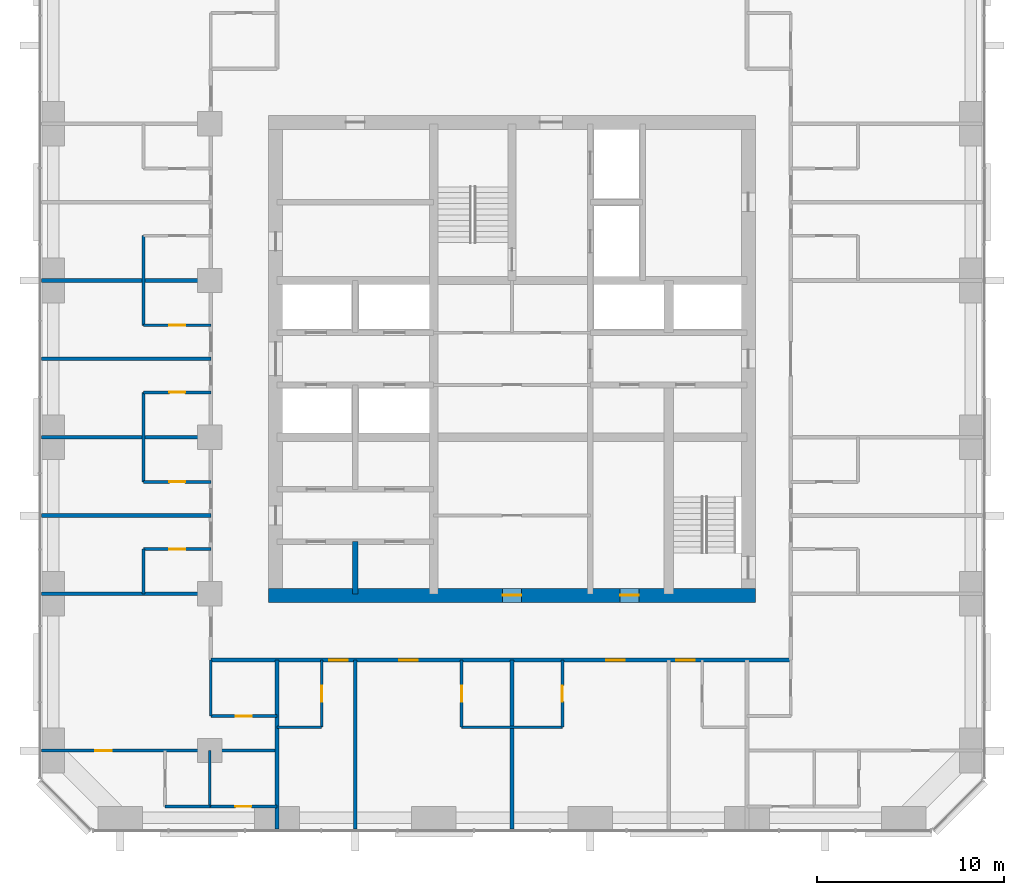
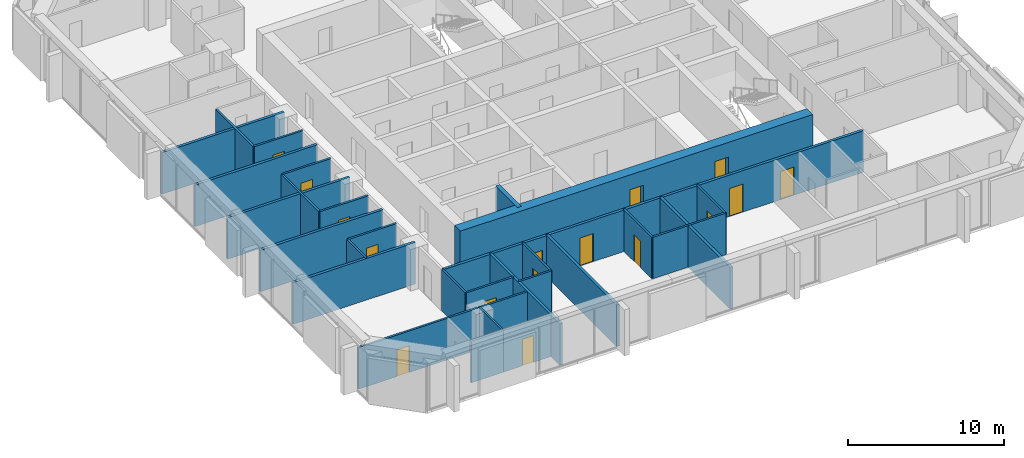
# One storey, part 8 of 13: 29 walls, 16 doors, 16 openings.
"""IFC4 building model written with IfcOpenShell, lengths in metres."""

from ifc_helpers import new_model, si_unit, direction, frame, frame_2d, origin, place, context, subcontext, project, spatial, rectangle, extrude, material, layer, layer_set, type_object, element, fill, save


model = new_model("IFC4")

# Units and contexts
model_context = context("Model", 3, precision=1e-05, world=origin(), true_north=direction((0.0, 1.0)))
body_context = subcontext(model_context, "Body", "Model", "MODEL_VIEW")
ifc_project = project(units=[si_unit("LENGTHUNIT", "METRE"), si_unit("AREAUNIT", "SQUARE_METRE"), si_unit("VOLUMEUNIT", "CUBIC_METRE"), si_unit("PLANEANGLEUNIT", "RADIAN"), si_unit("MASSUNIT", "GRAM", prefix="KILO")], contexts=[model_context])

# Site, building, storey
site_placement = place(None, origin())
site = spatial("IfcSite", under=ifc_project, at=site_placement, CompositionType="ELEMENT")
building_placement = place(site_placement, origin())
building = spatial("IfcBuilding", under=site, at=building_placement, Name="Dunama Terrace Hotel", CompositionType="ELEMENT")
storey_placement = place(building_placement, frame((0.0, 0.0, 169.800048828125)))
storey = spatial("IfcBuildingStorey", under=building, at=storey_placement, Name="L43", CompositionType="ELEMENT", Elevation=169.800048828125)

# Walls
ifc_material_1 = material(Name="Gypsum board partition", Category="masonry")
ifc_layer_1 = layer(ifc_material_1, 0.14990234375)
ifc_layer_set_1 = layer_set([ifc_layer_1], Name="Bathroom partition 150")
wall_type_1 = type_object("IfcWallType", Name="Bathroom partition 150", PredefinedType="PARTITIONING", material=ifc_layer_set_1)
wall_1_placement = place(storey_placement, frame((9.64990234375, 16.800048828125, 0.0), z_axis=(0.0, 0.0, 1.0), x_axis=(0.0, 1.0, 0.0)))
element("IfcWall", 1, at=wall_1_placement, inside=storey, type_object=wall_type_1, Name="Bathroom partition 150 L43", PredefinedType="PARTITIONING", context=body_context, shape_type="SweptSolid", body=[
    extrude(rectangle(XDim=2.39990234375, YDim=0.14990234375, at=frame_2d((1.199951171875, 0.0))), origin(), (0.0, 0.0, 1.0), 3.25),
])
for number, where, z_axis, x_axis, name in (
    (2, (9.64990234375, 22.800048828125, 0.0), (0.0, 0.0, 1.0), (0.0, 1.0, 0.0), "Bathroom partition 150 L43"),
    (3, (9.64990234375, 31.199951171875, 0.0), (0.0, 0.0, 1.0), (0.0, 1.0, 0.0), "Bathroom partition 150 L43"),
):
    element("IfcWall", number, at=place(storey_placement, frame(where, z_axis=z_axis, x_axis=x_axis)), inside=storey, type_object=wall_type_1, Name=name, PredefinedType="PARTITIONING", context=body_context, shape_type="SweptSolid", body=[
        extrude(rectangle(XDim=4.800048828125, YDim=0.14990234375, at=frame_2d((2.39990234375, 0.0))), origin(), (0.0, 0.0, 1.0), 3.25),
    ])
wall_2_placement = place(storey_placement, frame((13.25, 10.25, 0.0), z_axis=(0.0, 0.0, 1.0), x_axis=(0.0, 1.0, 0.0)))
element("IfcWall", 4, at=wall_2_placement, inside=storey, type_object=wall_type_1, Name="Bathroom partition 150 L43", PredefinedType="PARTITIONING", context=body_context, shape_type="SweptSolid", body=[
    extrude(rectangle(XDim=3.0, YDim=0.14990234375, at=frame_2d((1.5, 0.0))), origin(), (0.0, 0.0, 1.0), 3.25),
])

# Wall, opening, door
wall_3_placement = place(storey_placement, frame((19.199951171875, 9.64990234375, 0.0), z_axis=(0.0, 0.0, 1.0), x_axis=(0.0, 1.0, 0.0)))
wall_3 = element("IfcWall", 5, at=wall_3_placement, inside=storey, type_object=wall_type_1, Name="Bathroom partition 150 L43", PredefinedType="PARTITIONING", context=body_context, shape_type="SweptSolid", body=[
    extrude(rectangle(XDim=3.60009765625, YDim=0.14990234375, at=frame_2d((1.800048828125, 0.0))), origin(), (0.0, 0.0, 1.0), 3.25),
])
opening_1_placement = place(wall_3_placement, frame((1.375, 0.0, 0.0)))
opening_1 = element("IfcOpeningElement", 6, at=opening_1_placement, cuts=wall_3, Name="Opening L42-44-010", PredefinedType="OPENING", context=body_context, shape_type="SweptSolid", body=[
    extrude(rectangle(XDim=0.85009765625, YDim=2.10009765625, at=frame_2d((0.425048828125, 1.050048828125))), frame((0.0, 0.0849609375, 0.0), z_axis=(0.0, -1.0, 0.0), x_axis=(1.0, 0.0, 0.0)), (0.0, 0.0, 1.0), 0.169921875),
])
ifc_material_2 = material(Name="Timber door with steel frame", Category="steel")
door_type_1 = type_object("IfcDoorType", Name="Bathroom door 850", OperationType="SINGLE_SWING_LEFT", PredefinedType="DOOR", material=ifc_material_2)
door_1_placement = place(opening_1_placement, origin())
door_1 = element("IfcDoor", 7, at=door_1_placement, inside=storey, type_object=door_type_1, Name="Door to en-suite bathroom L42-44-010, type D2", OperationType="SINGLE_SWING_RIGHT", OverallHeight=2.10009765625, OverallWidth=0.85009765625, PredefinedType="DOOR", context=body_context, shape_type="SweptSolid", body=[
    extrude(rectangle(XDim=0.85009765625, YDim=2.10009765625, at=frame_2d((0.425048828125, 1.050048828125))), frame((0.0, 0.02490234375, 0.0), z_axis=(0.0, -1.0, 0.0), x_axis=(1.0, 0.0, 0.0)), (0.0, 0.0, 1.0), 0.050048828125),
])
fill(opening_1, door_1)

wall_4_placement = place(storey_placement, frame((26.699951171875, 9.64990234375, 0.0), z_axis=(0.0, 0.0, 1.0), x_axis=(0.0, 1.0, 0.0)))
wall_4 = element("IfcWall", 8, at=wall_4_placement, inside=storey, type_object=wall_type_1, Name="Bathroom partition 150 L43", PredefinedType="PARTITIONING", context=body_context, shape_type="SweptSolid", body=[
    extrude(rectangle(XDim=3.60009765625, YDim=0.14990234375, at=frame_2d((1.800048828125, 0.0))), origin(), (0.0, 0.0, 1.0), 3.25),
])
opening_2_placement = place(wall_4_placement, frame((1.375, 0.0, 0.0)))
opening_2 = element("IfcOpeningElement", 9, at=opening_2_placement, cuts=wall_4, Name="Opening L42-44-012", PredefinedType="OPENING", context=body_context, shape_type="SweptSolid", body=[
    extrude(rectangle(XDim=0.85009765625, YDim=2.10009765625, at=frame_2d((0.425048828125, 1.050048828125))), frame((0.0, 0.0849609375, 0.0), z_axis=(0.0, -1.0, 0.0), x_axis=(1.0, 0.0, 0.0)), (0.0, 0.0, 1.0), 0.169921875),
])
door_2_placement = place(opening_2_placement, frame((0.85009765625, 0.0, 0.0), z_axis=(0.0, 0.0, 1.0), x_axis=(-1.0, 0.0, 0.0)))
door_2 = element("IfcDoor", 10, at=door_2_placement, inside=storey, type_object=door_type_1, Name="Door to en-suite bathroom L42-44-012, type D2", OperationType="SINGLE_SWING_LEFT", OverallHeight=2.10009765625, OverallWidth=0.85009765625, PredefinedType="DOOR", context=body_context, shape_type="SweptSolid", body=[
    extrude(rectangle(XDim=0.85009765625, YDim=2.10009765625, at=frame_2d((0.425048828125, 1.050048828125))), frame((0.0, 0.025146484375, 0.0), z_axis=(0.0, -1.0, 0.0), x_axis=(1.0, 0.0, 0.0)), (0.0, 0.0, 1.0), 0.050048828125),
])
fill(opening_2, door_2)

wall_5_placement = place(storey_placement, frame((32.10009765625, 9.64990234375, 0.0), z_axis=(0.0, 0.0, 1.0), x_axis=(0.0, 1.0, 0.0)))
wall_5 = element("IfcWall", 11, at=wall_5_placement, inside=storey, type_object=wall_type_1, Name="Bathroom partition 150 L43", PredefinedType="PARTITIONING", context=body_context, shape_type="SweptSolid", body=[
    extrude(rectangle(XDim=3.60009765625, YDim=0.14990234375, at=frame_2d((1.800048828125, 0.0))), origin(), (0.0, 0.0, 1.0), 3.25),
])
opening_3_placement = place(wall_5_placement, frame((1.375, 0.0, 0.0)))
opening_3 = element("IfcOpeningElement", 12, at=opening_3_placement, cuts=wall_5, Name="Opening L42-44-014", PredefinedType="OPENING", context=body_context, shape_type="SweptSolid", body=[
    extrude(rectangle(XDim=0.85009765625, YDim=2.10009765625, at=frame_2d((0.425048828125, 1.050048828125))), frame((0.0, 0.0849609375, 0.0), z_axis=(0.0, -1.0, 0.0), x_axis=(1.0, 0.0, 0.0)), (0.0, 0.0, 1.0), 0.169921875),
])
door_3_placement = place(opening_3_placement, origin())
door_3 = element("IfcDoor", 13, at=door_3_placement, inside=storey, type_object=door_type_1, Name="Door to en-suite bathroom L42-44-014, type D2", OperationType="SINGLE_SWING_RIGHT", OverallHeight=2.10009765625, OverallWidth=0.85009765625, PredefinedType="DOOR", context=body_context, shape_type="SweptSolid", body=[
    extrude(rectangle(XDim=0.85009765625, YDim=2.10009765625, at=frame_2d((0.425048828125, 1.050048828125))), frame((0.0, 0.02490234375, 0.0), z_axis=(0.0, -1.0, 0.0), x_axis=(1.0, 0.0, 0.0)), (0.0, 0.0, 1.0), 0.050048828125),
])
fill(opening_3, door_3)

wall_6_placement = place(storey_placement, frame((13.199951171875, 5.39990234375, 0.0), z_axis=(0.0, 0.0, 1.0), x_axis=(1.0, 0.0, 0.0)))
wall_6 = element("IfcWall", 14, at=wall_6_placement, inside=storey, type_object=wall_type_1, Name="Bathroom partition 150 L43", PredefinedType="PARTITIONING", context=body_context, shape_type="SweptSolid", body=[
    extrude(rectangle(XDim=3.60009765625, YDim=0.14990234375, at=frame_2d((1.800048828125, 0.0))), origin(), (0.0, 0.0, 1.0), 3.25),
])
opening_4_placement = place(wall_6_placement, frame((1.375, 0.0, 0.0)))
opening_4 = element("IfcOpeningElement", 15, at=opening_4_placement, cuts=wall_6, Name="Opening L42-44-041", PredefinedType="OPENING", context=body_context, shape_type="SweptSolid", body=[
    extrude(rectangle(XDim=0.85009765625, YDim=2.10009765625, at=frame_2d((0.425048828125, 1.050048828125))), frame((0.0, 0.0849609375, 0.0), z_axis=(0.0, -1.0, 0.0), x_axis=(1.0, 0.0, 0.0)), (0.0, 0.0, 1.0), 0.169921875),
])
door_4_placement = place(opening_4_placement, origin())
door_4 = element("IfcDoor", 16, at=door_4_placement, inside=storey, type_object=door_type_1, Name="Door to en-suite bathroom L42-44-041, type D2", OperationType="SINGLE_SWING_RIGHT", OverallHeight=2.10009765625, OverallWidth=0.85009765625, PredefinedType="DOOR", context=body_context, shape_type="SweptSolid", body=[
    extrude(rectangle(XDim=0.85009765625, YDim=2.10009765625, at=frame_2d((0.425048828125, 1.050048828125))), frame((0.0, 0.02490234375, 0.0), z_axis=(0.0, -1.0, 0.0), x_axis=(1.0, 0.0, 0.0)), (0.0, 0.0, 1.0), 0.050048828125),
])
fill(opening_4, door_4)

# Walls
wall_7_placement = place(storey_placement, frame((16.800048828125, 9.64990234375, 0.0), z_axis=(0.0, 0.0, 1.0), x_axis=(1.0, 0.0, 0.0)))
element("IfcWall", 17, at=wall_7_placement, inside=storey, type_object=wall_type_1, Name="Bathroom partition 150 L43", PredefinedType="PARTITIONING", context=body_context, shape_type="SweptSolid", body=[
    extrude(rectangle(XDim=2.39990234375, YDim=0.14990234375, at=frame_2d((1.199951171875, 0.0))), origin(), (0.0, 0.0, 1.0), 3.25),
])
wall_8_placement = place(storey_placement, frame((26.699951171875, 9.64990234375, 0.0), z_axis=(0.0, 0.0, 1.0), x_axis=(1.0, 0.0, 0.0)))
element("IfcWall", 18, at=wall_8_placement, inside=storey, type_object=wall_type_1, Name="Bathroom partition 150 L43", PredefinedType="PARTITIONING", context=body_context, shape_type="SweptSolid", body=[
    extrude(rectangle(XDim=5.400146484375, YDim=0.14990234375, at=frame_2d((2.7001953125, 0.0))), origin(), (0.0, 0.0, 1.0), 3.25),
])

# Wall, opening, door
wall_9_placement = place(storey_placement, frame((13.25, 10.25, 0.0), z_axis=(0.0, 0.0, 1.0), x_axis=(1.0, 0.0, 0.0)))
wall_9 = element("IfcWall", 19, at=wall_9_placement, inside=storey, type_object=wall_type_1, Name="Bathroom partition 150 L43", PredefinedType="PARTITIONING", context=body_context, shape_type="SweptSolid", body=[
    extrude(rectangle(XDim=3.550048828125, YDim=0.14990234375, at=frame_2d((1.77490234375, 0.0))), origin(), (0.0, 0.0, 1.0), 3.25),
])
opening_5_placement = place(wall_9_placement, frame((1.35009765625, 0.0, 0.0)))
opening_5 = element("IfcOpeningElement", 20, at=opening_5_placement, cuts=wall_9, Name="Opening L42-44-039", PredefinedType="OPENING", context=body_context, shape_type="SweptSolid", body=[
    extrude(rectangle(XDim=0.85009765625, YDim=2.10009765625, at=frame_2d((0.425048828125, 1.050048828125))), frame((0.0, 0.0849609375, 0.0), z_axis=(0.0, -1.0, 0.0), x_axis=(1.0, 0.0, 0.0)), (0.0, 0.0, 1.0), 0.169921875),
])
door_5_placement = place(opening_5_placement, origin())
door_5 = element("IfcDoor", 21, at=door_5_placement, inside=storey, type_object=door_type_1, Name="Door to powder room L42-44-039, type D2", OperationType="SINGLE_SWING_RIGHT", OverallHeight=2.10009765625, OverallWidth=0.85009765625, PredefinedType="DOOR", context=body_context, shape_type="SweptSolid", body=[
    extrude(rectangle(XDim=0.85009765625, YDim=2.10009765625, at=frame_2d((0.425048828125, 1.050048828125))), frame((0.0, 0.02490234375, 0.0), z_axis=(0.0, -1.0, 0.0), x_axis=(1.0, 0.0, 0.0)), (0.0, 0.0, 1.0), 0.050048828125),
])
fill(opening_5, door_5)

wall_10_placement = place(storey_placement, frame((9.64990234375, 19.199951171875, 0.0), z_axis=(0.0, 0.0, 1.0), x_axis=(1.0, 0.0, 0.0)))
wall_10 = element("IfcWall", 22, at=wall_10_placement, inside=storey, type_object=wall_type_1, Name="Bathroom partition 150 L43", PredefinedType="PARTITIONING", context=body_context, shape_type="SweptSolid", body=[
    extrude(rectangle(XDim=3.60009765625, YDim=0.14990234375, at=frame_2d((1.800048828125, 0.0))), origin(), (0.0, 0.0, 1.0), 3.25),
])
opening_6_placement = place(wall_10_placement, frame((1.375, 0.0, 0.0)))
opening_6 = element("IfcOpeningElement", 23, at=opening_6_placement, cuts=wall_10, Name="Opening L42-44-027", PredefinedType="OPENING", context=body_context, shape_type="SweptSolid", body=[
    extrude(rectangle(XDim=0.85009765625, YDim=2.10009765625, at=frame_2d((0.425048828125, 1.050048828125))), frame((0.0, 0.0849609375, 0.0), z_axis=(0.0, -1.0, 0.0), x_axis=(1.0, 0.0, 0.0)), (0.0, 0.0, 1.0), 0.169921875),
])
door_6_placement = place(opening_6_placement, frame((0.85009765625, 0.0, 0.0), z_axis=(0.0, 0.0, 1.0), x_axis=(-1.0, 0.0, 0.0)))
door_6 = element("IfcDoor", 24, at=door_6_placement, inside=storey, type_object=door_type_1, Name="Door to en-suite bathroom L42-44-027, type D2", OperationType="SINGLE_SWING_LEFT", OverallHeight=2.10009765625, OverallWidth=0.85009765625, PredefinedType="DOOR", context=body_context, shape_type="SweptSolid", body=[
    extrude(rectangle(XDim=0.85009765625, YDim=2.10009765625, at=frame_2d((0.425048828125, 1.050048828125))), frame((0.0, 0.025146484375, 0.0), z_axis=(0.0, -1.0, 0.0), x_axis=(1.0, 0.0, 0.0)), (0.0, 0.0, 1.0), 0.050048828125),
])
fill(opening_6, door_6)

wall_11_placement = place(storey_placement, frame((9.64990234375, 22.800048828125, 0.0), z_axis=(0.0, 0.0, 1.0), x_axis=(1.0, 0.0, 0.0)))
wall_11 = element("IfcWall", 25, at=wall_11_placement, inside=storey, type_object=wall_type_1, Name="Bathroom partition 150 L43", PredefinedType="PARTITIONING", context=body_context, shape_type="SweptSolid", body=[
    extrude(rectangle(XDim=3.60009765625, YDim=0.14990234375, at=frame_2d((1.800048828125, 0.0))), origin(), (0.0, 0.0, 1.0), 3.25),
])
opening_7_placement = place(wall_11_placement, frame((1.375, 0.0, 0.0)))
opening_7 = element("IfcOpeningElement", 26, at=opening_7_placement, cuts=wall_11, Name="Opening L42-44-029", PredefinedType="OPENING", context=body_context, shape_type="SweptSolid", body=[
    extrude(rectangle(XDim=0.85009765625, YDim=2.10009765625, at=frame_2d((0.425048828125, 1.050048828125))), frame((0.0, 0.0849609375, 0.0), z_axis=(0.0, -1.0, 0.0), x_axis=(1.0, 0.0, 0.0)), (0.0, 0.0, 1.0), 0.169921875),
])
door_7_placement = place(opening_7_placement, origin())
door_7 = element("IfcDoor", 27, at=door_7_placement, inside=storey, type_object=door_type_1, Name="Door to en-suite bathroom L42-44-029, type D2", OperationType="SINGLE_SWING_RIGHT", OverallHeight=2.10009765625, OverallWidth=0.85009765625, PredefinedType="DOOR", context=body_context, shape_type="SweptSolid", body=[
    extrude(rectangle(XDim=0.85009765625, YDim=2.10009765625, at=frame_2d((0.425048828125, 1.050048828125))), frame((0.0, 0.02490234375, 0.0), z_axis=(0.0, -1.0, 0.0), x_axis=(1.0, 0.0, 0.0)), (0.0, 0.0, 1.0), 0.050048828125),
])
fill(opening_7, door_7)

wall_12_placement = place(storey_placement, frame((9.64990234375, 27.60009765625, 0.0), z_axis=(0.0, 0.0, 1.0), x_axis=(1.0, 0.0, 0.0)))
wall_12 = element("IfcWall", 28, at=wall_12_placement, inside=storey, type_object=wall_type_1, Name="Bathroom partition 150 L43", PredefinedType="PARTITIONING", context=body_context, shape_type="SweptSolid", body=[
    extrude(rectangle(XDim=3.60009765625, YDim=0.14990234375, at=frame_2d((1.800048828125, 0.0))), origin(), (0.0, 0.0, 1.0), 3.25),
])
opening_8_placement = place(wall_12_placement, frame((1.375, 0.0, 0.0)))
opening_8 = element("IfcOpeningElement", 29, at=opening_8_placement, cuts=wall_12, Name="Opening L42-44-031", PredefinedType="OPENING", context=body_context, shape_type="SweptSolid", body=[
    extrude(rectangle(XDim=0.85009765625, YDim=2.10009765625, at=frame_2d((0.425048828125, 1.050048828125))), frame((0.0, 0.0849609375, 0.0), z_axis=(0.0, -1.0, 0.0), x_axis=(1.0, 0.0, 0.0)), (0.0, 0.0, 1.0), 0.169921875),
])
door_8_placement = place(opening_8_placement, frame((0.85009765625, 0.0, 0.0), z_axis=(0.0, 0.0, 1.0), x_axis=(-1.0, 0.0, 0.0)))
door_8 = element("IfcDoor", 30, at=door_8_placement, inside=storey, type_object=door_type_1, Name="Door to en-suite bathroom L42-44-031, type D2", OperationType="SINGLE_SWING_LEFT", OverallHeight=2.10009765625, OverallWidth=0.85009765625, PredefinedType="DOOR", context=body_context, shape_type="SweptSolid", body=[
    extrude(rectangle(XDim=0.85009765625, YDim=2.10009765625, at=frame_2d((0.425048828125, 1.050048828125))), frame((0.0, 0.025146484375, 0.0), z_axis=(0.0, -1.0, 0.0), x_axis=(1.0, 0.0, 0.0)), (0.0, 0.0, 1.0), 0.050048828125),
])
fill(opening_8, door_8)

wall_13_placement = place(storey_placement, frame((9.64990234375, 31.199951171875, 0.0), z_axis=(0.0, 0.0, 1.0), x_axis=(1.0, 0.0, 0.0)))
wall_13 = element("IfcWall", 31, at=wall_13_placement, inside=storey, type_object=wall_type_1, Name="Bathroom partition 150 L43", PredefinedType="PARTITIONING", context=body_context, shape_type="SweptSolid", body=[
    extrude(rectangle(XDim=3.60009765625, YDim=0.14990234375, at=frame_2d((1.800048828125, 0.0))), origin(), (0.0, 0.0, 1.0), 3.25),
])
opening_9_placement = place(wall_13_placement, frame((1.375, 0.0, 0.0)))
opening_9 = element("IfcOpeningElement", 32, at=opening_9_placement, cuts=wall_13, Name="Opening L42-44-033", PredefinedType="OPENING", context=body_context, shape_type="SweptSolid", body=[
    extrude(rectangle(XDim=0.85009765625, YDim=2.10009765625, at=frame_2d((0.425048828125, 1.050048828125))), frame((0.0, 0.0849609375, 0.0), z_axis=(0.0, -1.0, 0.0), x_axis=(1.0, 0.0, 0.0)), (0.0, 0.0, 1.0), 0.169921875),
])
door_9_placement = place(opening_9_placement, origin())
door_9 = element("IfcDoor", 33, at=door_9_placement, inside=storey, type_object=door_type_1, Name="Door to en-suite bathroom L42-44-033, type D2", OperationType="SINGLE_SWING_RIGHT", OverallHeight=2.10009765625, OverallWidth=0.85009765625, PredefinedType="DOOR", context=body_context, shape_type="SweptSolid", body=[
    extrude(rectangle(XDim=0.85009765625, YDim=2.10009765625, at=frame_2d((0.425048828125, 1.050048828125))), frame((0.0, 0.02490234375, 0.0), z_axis=(0.0, -1.0, 0.0), x_axis=(1.0, 0.0, 0.0)), (0.0, 0.0, 1.0), 0.050048828125),
])
fill(opening_9, door_9)

# Wall
ifc_material_3 = material(Name="Concrete C50/60", Category="concrete")
ifc_layer_2 = layer(ifc_material_3, 0.300048828125)
ifc_layer_set_2 = layer_set([ifc_layer_2], Name="Core inner wall 300")
wall_type_2 = type_object("IfcWallType", Name="Core inner wall 300", PredefinedType="SHEAR", material=ifc_layer_set_2)
wall_14_placement = place(storey_placement, frame((21.0, 16.800048828125, -0.35009765625), z_axis=(0.0, 0.0, 1.0), x_axis=(0.0, 1.0, 0.0)))
element("IfcWall", 34, at=wall_14_placement, inside=storey, type_object=wall_type_2, Name="Core inner wall 300 L43", PredefinedType="SHEAR", context=body_context, shape_type="SweptSolid", body=[
    extrude(rectangle(XDim=2.800048828125, YDim=0.300048828125, at=frame_2d((1.39990234375, 0.0))), origin(), (0.0, 0.0, 1.0), 3.60009765625),
])

# Wall, openings, doors
ifc_material_4 = material(Name="Concrete C60/75", Category="concrete")
ifc_layer_3 = layer(ifc_material_4, 0.75)
ifc_layer_set_3 = layer_set([ifc_layer_3], Name="Core wall 750")
wall_type_3 = type_object("IfcWallType", Name="Core wall 750", PredefinedType="SHEAR", material=ifc_layer_set_3)
wall_15_placement = place(storey_placement, frame((16.35009765625, 16.72509765625, -0.35009765625), z_axis=(0.0, 0.0, 1.0), x_axis=(1.0, 0.0, 0.0)))
wall_15 = element("IfcWall", 35, at=wall_15_placement, inside=storey, type_object=wall_type_3, Name="Core wall south L43", PredefinedType="SHEAR", context=body_context, shape_type="SweptSolid", body=[
    extrude(rectangle(XDim=26.099853515625, YDim=0.75, at=frame_2d((13.0498046875, 0.0))), origin(), (0.0, 0.0, 1.0), 3.60009765625),
])
opening_10_placement = place(wall_15_placement, frame((12.550048828125, 0.0, 0.35009765625)))
opening_10 = element("IfcOpeningElement", 36, at=opening_10_placement, cuts=wall_15, Name="Opening L42-44-075", PredefinedType="OPENING", context=body_context, shape_type="SweptSolid", body=[
    extrude(rectangle(XDim=1.0, YDim=2.10009765625, at=frame_2d((0.5, 1.050048828125))), frame((0.0, 0.385009765625, 0.0), z_axis=(0.0, -1.0, 0.0), x_axis=(1.0, 0.0, 0.0)), (0.0, 0.0, 1.0), 0.77001953125),
])
opening_11_placement = place(wall_15_placement, frame((18.85009765625, 0.0, 0.35009765625)))
opening_11 = element("IfcOpeningElement", 37, at=opening_11_placement, cuts=wall_15, Name="Opening L42-44-077", PredefinedType="OPENING", context=body_context, shape_type="SweptSolid", body=[
    extrude(rectangle(XDim=1.0, YDim=2.10009765625, at=frame_2d((0.5, 1.050048828125))), frame((0.0, 0.385009765625, 0.0), z_axis=(0.0, -1.0, 0.0), x_axis=(1.0, 0.0, 0.0)), (0.0, 0.0, 1.0), 0.77001953125),
])
ifc_material_5 = material(Name="Timber door with steel frame", Category="steel")
door_type_2 = type_object("IfcDoorType", Name="Service door 1000", OperationType="SINGLE_SWING_LEFT", PredefinedType="DOOR", material=ifc_material_5)
door_10_placement = place(opening_10_placement, origin())
door_10 = element("IfcDoor", 38, at=door_10_placement, inside=storey, type_object=door_type_2, Name="Door to corridor air handling room L42-44-075, type D7", OperationType="SINGLE_SWING_LEFT", OverallHeight=2.10009765625, OverallWidth=1.0, PredefinedType="DOOR", context=body_context, shape_type="SweptSolid", body=[
    extrude(rectangle(XDim=1.0, YDim=2.10009765625, at=frame_2d((0.5, 1.050048828125))), frame((0.0, 0.02490234375, 0.0), z_axis=(0.0, -1.0, 0.0), x_axis=(1.0, 0.0, 0.0)), (0.0, 0.0, 1.0), 0.050048828125),
])
fill(opening_10, door_10)
door_11_placement = place(opening_11_placement, origin())
door_11 = element("IfcDoor", 39, at=door_11_placement, inside=storey, type_object=door_type_2, Name="Door to water riser room L42-44-077, type D7", OperationType="SINGLE_SWING_RIGHT", OverallHeight=2.10009765625, OverallWidth=1.0, PredefinedType="DOOR", context=body_context, shape_type="SweptSolid", body=[
    extrude(rectangle(XDim=1.0, YDim=2.10009765625, at=frame_2d((0.5, 1.050048828125))), frame((0.0, 0.02490234375, 0.0), z_axis=(0.0, -1.0, 0.0), x_axis=(1.0, 0.0, 0.0)), (0.0, 0.0, 1.0), 0.050048828125),
])
fill(opening_11, door_11)

ifc_material_6 = material(Name="Concrete blockwork", Category="masonry")
ifc_layer_4 = layer(ifc_material_6, 0.199951171875)
ifc_layer_set_4 = layer_set([ifc_layer_4], Name="Corridor partition 200")
wall_type_4 = type_object("IfcWallType", Name="Corridor partition 200", PredefinedType="PARTITIONING", material=ifc_layer_set_4)
wall_16_placement = place(storey_placement, frame((44.35009765625, 13.25, 0.0), z_axis=(0.0, 0.0, 1.0), x_axis=(-1.0, 0.0, 0.0)))
wall_16 = element("IfcWall", 40, at=wall_16_placement, inside=storey, type_object=wall_type_4, Name="Corridor partition 200 L43", PredefinedType="PARTITIONING", context=body_context, shape_type="SweptSolid", body=[
    extrude(rectangle(XDim=31.10009765625, YDim=0.199951171875, at=frame_2d((15.550048828125, 0.0))), origin(), (0.0, 0.0, 1.0), 3.25),
])
opening_12_placement = place(wall_16_placement, frame((23.75, 0.0, 0.0)))
opening_12 = element("IfcOpeningElement", 41, at=opening_12_placement, cuts=wall_16, Name="Opening L42-44-009", PredefinedType="OPENING", context=body_context, shape_type="SweptSolid", body=[
    extrude(rectangle(XDim=1.0, YDim=2.199951171875, at=frame_2d((0.5, 1.10009765625))), frame((0.0, 0.10986328125, 0.0), z_axis=(0.0, -1.0, 0.0), x_axis=(1.0, 0.0, 0.0)), (0.0, 0.0, 1.0), 0.219970703125),
])
opening_13_placement = place(wall_16_placement, frame((20.0, 0.0, 0.0)))
opening_13 = element("IfcOpeningElement", 42, at=opening_13_placement, cuts=wall_16, Name="Opening L42-44-011", PredefinedType="OPENING", context=body_context, shape_type="SweptSolid", body=[
    extrude(rectangle(XDim=1.0, YDim=2.199951171875, at=frame_2d((0.5, 1.10009765625))), frame((0.0, 0.10986328125, 0.0), z_axis=(0.0, -1.0, 0.0), x_axis=(1.0, 0.0, 0.0)), (0.0, 0.0, 1.0), 0.219970703125),
])
opening_14_placement = place(wall_16_placement, frame((8.89990234375, 0.0, 0.0)))
opening_14 = element("IfcOpeningElement", 43, at=opening_14_placement, cuts=wall_16, Name="Opening L42-44-013", PredefinedType="OPENING", context=body_context, shape_type="SweptSolid", body=[
    extrude(rectangle(XDim=1.0, YDim=2.199951171875, at=frame_2d((0.5, 1.10009765625))), frame((0.0, 0.10986328125, 0.0), z_axis=(0.0, -1.0, 0.0), x_axis=(1.0, 0.0, 0.0)), (0.0, 0.0, 1.0), 0.219970703125),
])
opening_15_placement = place(wall_16_placement, frame((5.14990234375, 0.0, 0.0)))
opening_15 = element("IfcOpeningElement", 44, at=opening_15_placement, cuts=wall_16, Name="Opening L42-44-015", PredefinedType="OPENING", context=body_context, shape_type="SweptSolid", body=[
    extrude(rectangle(XDim=1.0, YDim=2.199951171875, at=frame_2d((0.5, 1.10009765625))), frame((0.0, 0.10986328125, 0.0), z_axis=(0.0, -1.0, 0.0), x_axis=(1.0, 0.0, 0.0)), (0.0, 0.0, 1.0), 0.219970703125),
])
ifc_material_7 = material(Name="Timber door with steel frame", Category="steel")
door_type_3 = type_object("IfcDoorType", Name="Guest room door 1000", OperationType="SINGLE_SWING_LEFT", PredefinedType="DOOR", material=ifc_material_7)
door_12_placement = place(opening_12_placement, origin())
door_12 = element("IfcDoor", 45, at=door_12_placement, inside=storey, type_object=door_type_3, Name="Door to club room L42-44-009, type D1", OperationType="SINGLE_SWING_LEFT", OverallHeight=2.199951171875, OverallWidth=1.0, PredefinedType="DOOR", context=body_context, shape_type="SweptSolid", body=[
    extrude(rectangle(XDim=1.0, YDim=2.199951171875, at=frame_2d((0.5, 1.10009765625))), frame((0.0, 0.02490234375, 0.0), z_axis=(0.0, -1.0, 0.0), x_axis=(1.0, 0.0, 0.0)), (0.0, 0.0, 1.0), 0.050048828125),
])
fill(opening_12, door_12)
door_13_placement = place(opening_13_placement, origin())
door_13 = element("IfcDoor", 46, at=door_13_placement, inside=storey, type_object=door_type_3, Name="Door to junior suite L42-44-011, type D1", OperationType="SINGLE_SWING_RIGHT", OverallHeight=2.199951171875, OverallWidth=1.0, PredefinedType="DOOR", context=body_context, shape_type="SweptSolid", body=[
    extrude(rectangle(XDim=1.0, YDim=2.199951171875, at=frame_2d((0.5, 1.10009765625))), frame((0.0, 0.02490234375, 0.0), z_axis=(0.0, -1.0, 0.0), x_axis=(1.0, 0.0, 0.0)), (0.0, 0.0, 1.0), 0.050048828125),
])
fill(opening_13, door_13)
door_14_placement = place(opening_14_placement, origin())
door_14 = element("IfcDoor", 47, at=door_14_placement, inside=storey, type_object=door_type_3, Name="Door to junior suite L42-44-013, type D1", OperationType="SINGLE_SWING_LEFT", OverallHeight=2.199951171875, OverallWidth=1.0, PredefinedType="DOOR", context=body_context, shape_type="SweptSolid", body=[
    extrude(rectangle(XDim=1.0, YDim=2.199951171875, at=frame_2d((0.5, 1.10009765625))), frame((0.0, 0.02490234375, 0.0), z_axis=(0.0, -1.0, 0.0), x_axis=(1.0, 0.0, 0.0)), (0.0, 0.0, 1.0), 0.050048828125),
])
fill(opening_14, door_14)
door_15_placement = place(opening_15_placement, origin())
door_15 = element("IfcDoor", 48, at=door_15_placement, inside=storey, type_object=door_type_3, Name="Door to club room L42-44-015, type D1", OperationType="SINGLE_SWING_RIGHT", OverallHeight=2.199951171875, OverallWidth=1.0, PredefinedType="DOOR", context=body_context, shape_type="SweptSolid", body=[
    extrude(rectangle(XDim=1.0, YDim=2.199951171875, at=frame_2d((0.5, 1.10009765625))), frame((0.0, 0.02490234375, 0.0), z_axis=(0.0, -1.0, 0.0), x_axis=(1.0, 0.0, 0.0)), (0.0, 0.0, 1.0), 0.050048828125),
])
fill(opening_15, door_15)

# Walls
ifc_material_8 = material(Name="Concrete blockwork", Category="masonry")
ifc_layer_5 = layer(ifc_material_8, 0.199951171875)
ifc_layer_set_5 = layer_set([ifc_layer_5], Name="Party wall 200")
wall_type_5 = type_object("IfcWallType", Name="Party wall 200", PredefinedType="PARTITIONING", material=ifc_layer_set_5)
for number, where, z_axis, x_axis, name in (
    (49, (16.800048828125, 4.181884765625, 0.0), (0.0, 0.0, 1.0), (0.0, 1.0, 0.0), "Party wall 200 L43"),
    (50, (21.0, 4.181884765625, 0.0), (0.0, 0.0, 1.0), (0.0, 1.0, 0.0), "Party wall 200 L43"),
    (51, (29.39990234375, 4.181884765625, 0.0), (0.0, 0.0, 1.0), (0.0, 1.0, 0.0), "Party wall 200 L43"),
    (52, (4.181884765625, 16.800048828125, 0.0), (0.0, 0.0, 1.0), (1.0, 0.0, 0.0), "Party wall 200 L43"),
    (53, (4.181884765625, 21.0, 0.0), (0.0, 0.0, 1.0), (1.0, 0.0, 0.0), "Party wall 200 L43"),
    (54, (4.181884765625, 25.199951171875, 0.0), (0.0, 0.0, 1.0), (1.0, 0.0, 0.0), "Party wall 200 L43"),
    (55, (4.181884765625, 29.39990234375, 0.0), (0.0, 0.0, 1.0), (1.0, 0.0, 0.0), "Party wall 200 L43"),
    (56, (4.181884765625, 33.60009765625, 0.0), (0.0, 0.0, 1.0), (1.0, 0.0, 0.0), "Party wall 200 L43"),
):
    element("IfcWall", number, at=place(storey_placement, frame(where, z_axis=z_axis, x_axis=x_axis)), inside=storey, type_object=wall_type_5, Name=name, PredefinedType="PARTITIONING", context=body_context, shape_type="SweptSolid", body=[
        extrude(rectangle(XDim=9.068115234375, YDim=0.199951171875, at=frame_2d((4.5341796875, 0.0))), origin(), (0.0, 0.0, 1.0), 3.25),
    ])
ifc_material_9 = material(Name="Gypsum board partition", Category="masonry")
ifc_layer_6 = layer(ifc_material_9, 0.14990234375)
ifc_layer_set_6 = layer_set([ifc_layer_6], Name="Room partition 150")
wall_type_6 = type_object("IfcWallType", Name="Room partition 150", PredefinedType="PARTITIONING", material=ifc_layer_set_6)
wall_17_placement = place(storey_placement, frame((13.199951171875, 5.39990234375, 0.0), z_axis=(0.0, 0.0, 1.0), x_axis=(0.0, 1.0, 0.0)))
element("IfcWall", 57, at=wall_17_placement, inside=storey, type_object=wall_type_6, Name="Room partition 150 L43", PredefinedType="PARTITIONING", context=body_context, shape_type="SweptSolid", body=[
    extrude(rectangle(XDim=3.0, YDim=0.14990234375, at=frame_2d((1.5, 0.0))), origin(), (0.0, 0.0, 1.0), 3.25),
])
wall_18_placement = place(storey_placement, frame((10.800048828125, 5.39990234375, 0.0), z_axis=(0.0, 0.0, 1.0), x_axis=(1.0, 0.0, 0.0)))
element("IfcWall", 58, at=wall_18_placement, inside=storey, type_object=wall_type_6, Name="Room partition 150 L43", PredefinedType="PARTITIONING", context=body_context, shape_type="SweptSolid", body=[
    extrude(rectangle(XDim=2.39990234375, YDim=0.14990234375, at=frame_2d((1.199951171875, 0.0))), origin(), (0.0, 0.0, 1.0), 3.25),
])

# Wall, opening, door
wall_19_placement = place(storey_placement, frame((4.181884765625, 8.39990234375, 0.0), z_axis=(0.0, 0.0, 1.0), x_axis=(1.0, 0.0, 0.0)))
wall_19 = element("IfcWall", 59, at=wall_19_placement, inside=storey, type_object=wall_type_6, Name="Room partition 150 L43", PredefinedType="PARTITIONING", context=body_context, shape_type="SweptSolid", body=[
    extrude(rectangle(XDim=12.6181640625, YDim=0.14990234375, at=frame_2d((6.30908203125, 0.0))), origin(), (0.0, 0.0, 1.0), 3.25),
])
opening_16_placement = place(wall_19_placement, frame((2.867919921875, 0.0, 0.0)))
opening_16 = element("IfcOpeningElement", 60, at=opening_16_placement, cuts=wall_19, Name="Opening L42-44-040", PredefinedType="OPENING", context=body_context, shape_type="SweptSolid", body=[
    extrude(rectangle(XDim=0.89990234375, YDim=2.10009765625, at=frame_2d((0.449951171875, 1.050048828125))), frame((0.0, 0.0849609375, 0.0), z_axis=(0.0, -1.0, 0.0), x_axis=(1.0, 0.0, 0.0)), (0.0, 0.0, 1.0), 0.169921875),
])
ifc_material_10 = material(Name="Timber door with steel frame", Category="steel")
door_type_4 = type_object("IfcDoorType", Name="Suite internal door 900", OperationType="SINGLE_SWING_LEFT", PredefinedType="DOOR", material=ifc_material_10)
door_16_placement = place(opening_16_placement, frame((0.89990234375, 0.0, 0.0), z_axis=(0.0, 0.0, 1.0), x_axis=(-1.0, 0.0, 0.0)))
door_16 = element("IfcDoor", 61, at=door_16_placement, inside=storey, type_object=door_type_4, Name="Door to corner suite bedroom L42-44-040, type D16", OperationType="SINGLE_SWING_RIGHT", OverallHeight=2.10009765625, OverallWidth=0.89990234375, PredefinedType="DOOR", context=body_context, shape_type="SweptSolid", body=[
    extrude(rectangle(XDim=0.89990234375, YDim=2.10009765625, at=frame_2d((0.449951171875, 1.050048828125))), frame((0.0, 0.025146484375, 0.0), z_axis=(0.0, -1.0, 0.0), x_axis=(1.0, 0.0, 0.0)), (0.0, 0.0, 1.0), 0.050048828125),
])
fill(opening_16, door_16)

save(model, "model.ifc")
